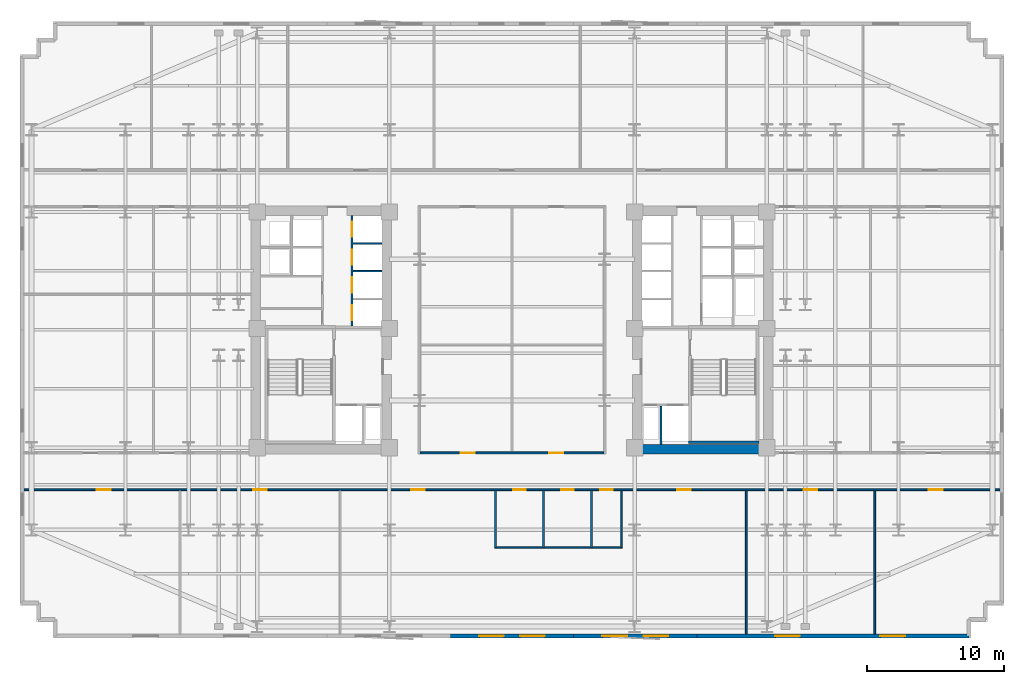
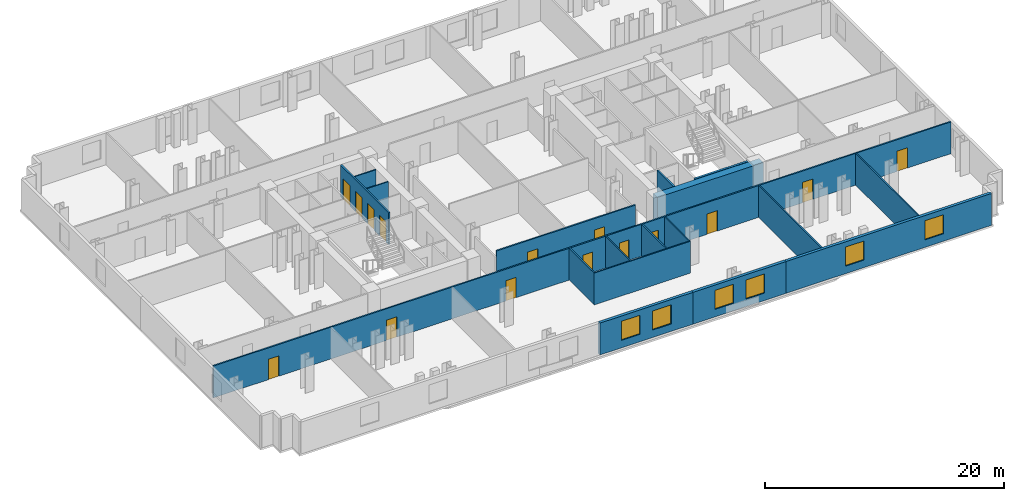
# One storey, part 5 of 10: 18 walls, 15 doors, 6 windows, 21 openings.
"""IFC4 building model written with IfcOpenShell, lengths in metres."""

from ifc_helpers import new_model, si_unit, direction, frame, frame_2d, origin, place, context, subcontext, project, spatial, rectangle, extrude, material, layer, layer_set, type_object, element, fill, save


model = new_model("IFC4")

# Units and contexts
model_context = context("Model", 3, precision=1e-05, world=origin(), true_north=direction((0.0, 1.0)))
body_context = subcontext(model_context, "Body", "Model", "MODEL_VIEW")
ifc_project = project(units=[si_unit("LENGTHUNIT", "METRE"), si_unit("AREAUNIT", "SQUARE_METRE"), si_unit("VOLUMEUNIT", "CUBIC_METRE"), si_unit("PLANEANGLEUNIT", "RADIAN"), si_unit("MASSUNIT", "GRAM", prefix="KILO")], contexts=[model_context])

# Site, building, storey
site_placement = place(None, origin())
site = spatial("IfcSite", under=ifc_project, at=site_placement, CompositionType="ELEMENT")
building_placement = place(site_placement, origin())
building = spatial("IfcBuilding", under=site, at=building_placement, Name="Velakula Bourse", CompositionType="ELEMENT")
storey_placement = place(building_placement, frame((0.0, 0.0, 62.25)))
storey = spatial("IfcBuildingStorey", under=building, at=storey_placement, Name="L16", CompositionType="ELEMENT", Elevation=62.25)

# Walls
ifc_material_1 = material(Name="Concrete M50 (fck 50 MPa)", Category="concrete")
ifc_layer_1 = layer(ifc_material_1, 0.2099609375, Name="Concrete M50 (fck 50 MPa)", Category="concrete")
ifc_layer_set_1 = layer_set([ifc_layer_1], Name="Concrete M50 (fck 50 MPa)")
wall_type_1 = type_object("IfcWallType", Name="WL-CORE-210", PredefinedType="SHEAR", material=ifc_layer_set_1)
wall_1_placement = place(storey_placement, frame((12.889892578125, -8.205078125, 0.0), z_axis=(0.0, 0.0, 1.0), x_axis=(1.0, 0.0, 0.0)))
element("IfcWall", 1, at=wall_1_placement, inside=storey, type_object=wall_type_1, Name="L16 Core E Stairwell Shear Wall S", PredefinedType="SHEAR", context=body_context, shape_type="SweptSolid", body=[
    extrude(rectangle(XDim=5.14013671875, YDim=0.2099609375, at=frame_2d((2.570068359375, 0.0))), origin(), (0.0, 0.0, 1.0), 3.27001953125),
])
ifc_material_2 = material(Name="Concrete M70 (fck 70 MPa)", Category="concrete")
ifc_layer_2 = layer(ifc_material_2, 0.699951171875, Name="Concrete M70 (fck 70 MPa)", Category="concrete")
ifc_layer_set_2 = layer_set([ifc_layer_2], Name="Concrete M70 (fck 70 MPa)")
wall_type_2 = type_object("IfcWallType", Name="WL-CORE-700", PredefinedType="SHEAR", material=ifc_layer_set_2)
wall_2_placement = place(storey_placement, frame((8.800048828125, -8.699951171875, 0.0), z_axis=(0.0, 0.0, 1.0), x_axis=(1.0, 0.0, 0.0)))
element("IfcWall", 2, at=wall_2_placement, inside=storey, type_object=wall_type_2, Name="L16 Core E Shear Wall S", PredefinedType="SHEAR", context=body_context, shape_type="SweptSolid", body=[
    extrude(rectangle(XDim=10.25, YDim=0.699951171875, at=frame_2d((5.125, 0.0))), origin(), (0.0, 0.0, 1.0), 3.27001953125),
])

# Wall, openings, windows
ifc_material_3 = material(Name="Red kilned clay facing brick masonry", Category="masonry")
ifc_layer_3 = layer(ifc_material_3, 0.280029296875, Name="Red kilned clay facing brick masonry", Category="masonry")
ifc_layer_set_3 = layer_set([ifc_layer_3], Name="Red kilned clay facing brick masonry")
wall_type_3 = type_object("IfcWallType", Name="WL-EXT-BRK-280", PredefinedType="STANDARD", material=ifc_layer_set_3)
wall_3_placement = place(storey_placement, frame((4.5, -22.340087890625, 0.0), z_axis=(0.0, 0.0, 1.0), x_axis=(-1.0, 0.0, 0.0)))
wall_3 = element("IfcWall", 3, at=wall_3_placement, inside=storey, type_object=wall_type_3, Name="L16 S Brick Spandrel Wall B3", PredefinedType="STANDARD", context=body_context, shape_type="SweptSolid", body=[
    extrude(rectangle(XDim=9.0, YDim=0.280029296875, at=frame_2d((4.5, 0.0))), origin(), (0.0, 0.0, 1.0), 3.25),
])
opening_1_placement = place(wall_3_placement, frame((2.10009765625, 0.0, 0.760009765625)))
opening_1 = element("IfcOpeningElement", 4, at=opening_1_placement, cuts=wall_3, Name="Opening W-01", PredefinedType="OPENING", context=body_context, shape_type="SweptSolid", body=[
    extrude(rectangle(XDim=1.800048828125, YDim=1.949951171875, at=frame_2d((0.89990234375, 0.97509765625))), frame((0.0, 0.14990234375, 0.0), z_axis=(0.0, -1.0, 0.0), x_axis=(1.0, 0.0, 0.0)), (0.0, 0.0, 1.0), 0.300048828125),
])
opening_2_placement = place(wall_3_placement, frame((5.10009765625, 0.0, 0.760009765625)))
opening_2 = element("IfcOpeningElement", 5, at=opening_2_placement, cuts=wall_3, Name="Opening W-01", PredefinedType="OPENING", context=body_context, shape_type="SweptSolid", body=[
    extrude(rectangle(XDim=1.800048828125, YDim=1.949951171875, at=frame_2d((0.89990234375, 0.97509765625))), frame((0.0, 0.14990234375, 0.0), z_axis=(0.0, -1.0, 0.0), x_axis=(1.0, 0.0, 0.0)), (0.0, 0.0, 1.0), 0.300048828125),
])
ifc_material_4 = material(Name="Double-glazed solar-control Low-E glass", Category="glass")
window_type = type_object("IfcWindowType", Name="WIN-TWR-1800x2100", PartitioningType="SINGLE_PANEL", PredefinedType="WINDOW", material=ifc_material_4)
window_1_placement = place(opening_1_placement, origin())
window_1 = element("IfcWindow", 6, at=window_1_placement, inside=storey, type_object=window_type, Name="L16 Deep-Set Recessed Window 1", OverallHeight=1.949951171875, OverallWidth=1.800048828125, PartitioningType="SINGLE_PANEL", PredefinedType="WINDOW", context=body_context, shape_type="SweptSolid", body=[
    extrude(rectangle(XDim=1.800048828125, YDim=1.949951171875, at=frame_2d((0.89990234375, 0.97509765625))), frame((0.0, 0.030029296875, 0.0), z_axis=(0.0, -1.0, 0.0), x_axis=(1.0, 0.0, 0.0)), (0.0, 0.0, 1.0), 0.06005859375),
])
fill(opening_1, window_1)
window_2_placement = place(opening_2_placement, origin())
window_2 = element("IfcWindow", 7, at=window_2_placement, inside=storey, type_object=window_type, Name="L16 Deep-Set Recessed Window 2", OverallHeight=1.949951171875, OverallWidth=1.800048828125, PartitioningType="SINGLE_PANEL", PredefinedType="WINDOW", context=body_context, shape_type="SweptSolid", body=[
    extrude(rectangle(XDim=1.800048828125, YDim=1.949951171875, at=frame_2d((0.89990234375, 0.97509765625))), frame((0.0, 0.030029296875, 0.0), z_axis=(0.0, -1.0, 0.0), x_axis=(1.0, 0.0, 0.0)), (0.0, 0.0, 1.0), 0.06005859375),
])
fill(opening_2, window_2)

wall_4_placement = place(storey_placement, frame((13.5, -22.340087890625, 0.0), z_axis=(0.0, 0.0, 1.0), x_axis=(-1.0, 0.0, 0.0)))
wall_4 = element("IfcWall", 8, at=wall_4_placement, inside=storey, type_object=wall_type_3, Name="L16 S Brick Spandrel Wall B4", PredefinedType="STANDARD", context=body_context, shape_type="SweptSolid", body=[
    extrude(rectangle(XDim=9.0, YDim=0.280029296875, at=frame_2d((4.5, 0.0))), origin(), (0.0, 0.0, 1.0), 3.25),
])
opening_3_placement = place(wall_4_placement, frame((2.10009765625, 0.0, 0.760009765625)))
opening_3 = element("IfcOpeningElement", 9, at=opening_3_placement, cuts=wall_4, Name="Opening W-01", PredefinedType="OPENING", context=body_context, shape_type="SweptSolid", body=[
    extrude(rectangle(XDim=1.800048828125, YDim=1.949951171875, at=frame_2d((0.89990234375, 0.97509765625))), frame((0.0, 0.14990234375, 0.0), z_axis=(0.0, -1.0, 0.0), x_axis=(1.0, 0.0, 0.0)), (0.0, 0.0, 1.0), 0.300048828125),
])
opening_4_placement = place(wall_4_placement, frame((5.10009765625, 0.0, 0.760009765625)))
opening_4 = element("IfcOpeningElement", 10, at=opening_4_placement, cuts=wall_4, Name="Opening W-01", PredefinedType="OPENING", context=body_context, shape_type="SweptSolid", body=[
    extrude(rectangle(XDim=1.800048828125, YDim=1.949951171875, at=frame_2d((0.89990234375, 0.97509765625))), frame((0.0, 0.14990234375, 0.0), z_axis=(0.0, -1.0, 0.0), x_axis=(1.0, 0.0, 0.0)), (0.0, 0.0, 1.0), 0.300048828125),
])
window_3_placement = place(opening_3_placement, origin())
window_3 = element("IfcWindow", 11, at=window_3_placement, inside=storey, type_object=window_type, Name="L16 Deep-Set Recessed Window 1", OverallHeight=1.949951171875, OverallWidth=1.800048828125, PartitioningType="SINGLE_PANEL", PredefinedType="WINDOW", context=body_context, shape_type="SweptSolid", body=[
    extrude(rectangle(XDim=1.800048828125, YDim=1.949951171875, at=frame_2d((0.89990234375, 0.97509765625))), frame((0.0, 0.030029296875, 0.0), z_axis=(0.0, -1.0, 0.0), x_axis=(1.0, 0.0, 0.0)), (0.0, 0.0, 1.0), 0.06005859375),
])
fill(opening_3, window_3)
window_4_placement = place(opening_4_placement, origin())
window_4 = element("IfcWindow", 12, at=window_4_placement, inside=storey, type_object=window_type, Name="L16 Deep-Set Recessed Window 2", OverallHeight=1.949951171875, OverallWidth=1.800048828125, PartitioningType="SINGLE_PANEL", PredefinedType="WINDOW", context=body_context, shape_type="SweptSolid", body=[
    extrude(rectangle(XDim=1.800048828125, YDim=1.949951171875, at=frame_2d((0.89990234375, 0.97509765625))), frame((0.0, 0.030029296875, 0.0), z_axis=(0.0, -1.0, 0.0), x_axis=(1.0, 0.0, 0.0)), (0.0, 0.0, 1.0), 0.06005859375),
])
fill(opening_4, window_4)

wall_5_placement = place(storey_placement, frame((33.340087890625, -22.340087890625, 0.0), z_axis=(0.0, 0.0, 1.0), x_axis=(-1.0, 0.0, 0.0)))
wall_5 = element("IfcWall", 13, at=wall_5_placement, inside=storey, type_object=wall_type_3, Name="L16 S Brick Spandrel Wall B5", PredefinedType="STANDARD", context=body_context, shape_type="SweptSolid", body=[
    extrude(rectangle(XDim=19.840087890625, YDim=0.280029296875, at=frame_2d((9.919921875, 0.0))), origin(), (0.0, 0.0, 1.0), 3.25),
])
opening_5_placement = place(wall_5_placement, frame((4.663330078125, 0.0, 0.760009765625)))
opening_5 = element("IfcOpeningElement", 14, at=opening_5_placement, cuts=wall_5, Name="Opening W-01", PredefinedType="OPENING", context=body_context, shape_type="SweptSolid", body=[
    extrude(rectangle(XDim=1.800048828125, YDim=1.949951171875, at=frame_2d((0.89990234375, 0.97509765625))), frame((0.0, 0.14990234375, 0.0), z_axis=(0.0, -1.0, 0.0), x_axis=(1.0, 0.0, 0.0)), (0.0, 0.0, 1.0), 0.300048828125),
])
opening_6_placement = place(wall_5_placement, frame((12.32666015625, 0.0, 0.760009765625)))
opening_6 = element("IfcOpeningElement", 15, at=opening_6_placement, cuts=wall_5, Name="Opening W-01", PredefinedType="OPENING", context=body_context, shape_type="SweptSolid", body=[
    extrude(rectangle(XDim=1.800048828125, YDim=1.949951171875, at=frame_2d((0.89990234375, 0.97509765625))), frame((0.0, 0.14990234375, 0.0), z_axis=(0.0, -1.0, 0.0), x_axis=(1.0, 0.0, 0.0)), (0.0, 0.0, 1.0), 0.300048828125),
])
window_5_placement = place(opening_5_placement, origin())
window_5 = element("IfcWindow", 16, at=window_5_placement, inside=storey, type_object=window_type, Name="L16 Deep-Set Recessed Window 1", OverallHeight=1.949951171875, OverallWidth=1.800048828125, PartitioningType="SINGLE_PANEL", PredefinedType="WINDOW", context=body_context, shape_type="SweptSolid", body=[
    extrude(rectangle(XDim=1.800048828125, YDim=1.949951171875, at=frame_2d((0.89990234375, 0.97509765625))), frame((0.0, 0.030029296875, 0.0), z_axis=(0.0, -1.0, 0.0), x_axis=(1.0, 0.0, 0.0)), (0.0, 0.0, 1.0), 0.06005859375),
])
fill(opening_5, window_5)
window_6_placement = place(opening_6_placement, origin())
window_6 = element("IfcWindow", 17, at=window_6_placement, inside=storey, type_object=window_type, Name="L16 Deep-Set Recessed Window 2", OverallHeight=1.949951171875, OverallWidth=1.800048828125, PartitioningType="SINGLE_PANEL", PredefinedType="WINDOW", context=body_context, shape_type="SweptSolid", body=[
    extrude(rectangle(XDim=1.800048828125, YDim=1.949951171875, at=frame_2d((0.89990234375, 0.97509765625))), frame((0.0, 0.030029296875, 0.0), z_axis=(0.0, -1.0, 0.0), x_axis=(1.0, 0.0, 0.0)), (0.0, 0.0, 1.0), 0.06005859375),
])
fill(opening_6, window_6)

# Walls
ifc_material_5 = material(Name="Fire-rated double-layer gypsum drywall partition", Category="gypsum")
ifc_layer_4 = layer(ifc_material_5, 0.1201171875, Name="Fire-rated double-layer gypsum drywall partition", Category="gypsum")
ifc_layer_set_4 = layer_set([ifc_layer_4], Name="Fire-rated double-layer gypsum drywall partition")
wall_type_4 = type_object("IfcWallType", Name="WL-PART-120", PredefinedType="STANDARD", material=ifc_layer_set_4)
for number, where, z_axis, x_axis, name in (
    (18, (-11.60009765625, 4.284912109375, 0.0), (0.0, 0.0, 1.0), (1.0, 0.0, 0.0), "L16 Interior Partition WL-CRW-L16-BDIV-1"),
    (19, (-11.60009765625, 6.31494140625, 0.0), (0.0, 0.0, 1.0), (1.0, 0.0, 0.0), "L16 Interior Partition WL-CRW-L16-BDIV-2"),
):
    element("IfcWall", number, at=place(storey_placement, frame(where, z_axis=z_axis, x_axis=x_axis)), inside=storey, type_object=wall_type_4, Name=name, PredefinedType="STANDARD", context=body_context, shape_type="SweptSolid", body=[
        extrude(rectangle(XDim=2.10009765625, YDim=0.110107421875, at=frame_2d((1.050048828125, 0.0))), origin(), (0.0, 0.0, 1.0), 3.25),
    ])
wall_6_placement = place(storey_placement, frame((-1.260009765625, -15.8701171875, 0.0), z_axis=(0.0, 0.0, 1.0), x_axis=(1.0, 0.0, 0.0)))
element("IfcWall", 20, at=wall_6_placement, inside=storey, type_object=wall_type_4, Name="L16 Interior Partition WL-WC-L16-BACK", PredefinedType="STANDARD", context=body_context, shape_type="SweptSolid", body=[
    extrude(rectangle(XDim=9.320068359375, YDim=0.1201171875, at=frame_2d((4.66015625, 0.0))), origin(), (0.0, 0.0, 1.0), 3.25),
])
for number, where, z_axis, x_axis, name in (
    (21, (-1.199951171875, -15.8701171875, 0.0), (0.0, 0.0, 1.0), (0.0, 1.0, 0.0), "L16 Interior Partition WL-WC-L16-V1"),
    (22, (2.300048828125, -15.8701171875, 0.0), (0.0, 0.0, 1.0), (0.0, 1.0, 0.0), "L16 Interior Partition WL-WC-L16-V2"),
    (23, (5.800048828125, -15.8701171875, 0.0), (0.0, 0.0, 1.0), (0.0, 1.0, 0.0), "L16 Interior Partition WL-WC-L16-V3"),
    (24, (8.0, -15.8701171875, 0.0), (0.0, 0.0, 1.0), (0.0, 1.0, 0.0), "L16 Interior Partition WL-WC-L16-V4"),
):
    element("IfcWall", number, at=place(storey_placement, frame(where, z_axis=z_axis, x_axis=x_axis)), inside=storey, type_object=wall_type_4, Name=name, PredefinedType="STANDARD", context=body_context, shape_type="SweptSolid", body=[
        extrude(rectangle(XDim=4.130126953125, YDim=0.1201171875, at=frame_2d((2.06494140625, 0.0))), origin(), (0.0, 0.0, 1.0), 3.25),
    ])
for number, where, z_axis, x_axis, name in (
    (25, (17.094970703125, -22.219970703125, 0.0), (0.0, 0.0, 1.0), (0.0, 1.0, 0.0), "L16 Interior Partition WL-INT-L16-SR-D7"),
    (26, (26.465087890625, -22.219970703125, 0.0), (0.0, 0.0, 1.0), (0.0, 1.0, 0.0), "L16 Interior Partition WL-INT-L16-SR-D8"),
):
    element("IfcWall", number, at=place(storey_placement, frame(where, z_axis=z_axis, x_axis=x_axis)), inside=storey, type_object=wall_type_4, Name=name, PredefinedType="STANDARD", context=body_context, shape_type="SweptSolid", body=[
        extrude(rectangle(XDim=10.47998046875, YDim=0.1201171875, at=frame_2d((5.239990234375, 0.0))), origin(), (0.0, 0.0, 1.0), 3.25),
    ])

# Wall, openings, doors
ifc_layer_5 = layer(ifc_material_5, 0.139892578125, Name="Fire-rated double-layer gypsum drywall partition", Category="gypsum")
ifc_layer_set_5 = layer_set([ifc_layer_5], Name="Fire-rated double-layer gypsum drywall partition")
wall_type_5 = type_object("IfcWallType", Name="WL-PART-140", PredefinedType="STANDARD", material=ifc_layer_set_5)
wall_7_placement = place(storey_placement, frame((-35.6201171875, -11.669921875, 0.0), z_axis=(0.0, 0.0, 1.0), x_axis=(1.0, 0.0, 0.0)))
wall_7 = element("IfcWall", 27, at=wall_7_placement, inside=storey, type_object=wall_type_5, Name="L16 Interior Partition WL-INT-L16-S-CORR", PredefinedType="STANDARD", context=body_context, shape_type="SweptSolid", body=[
    extrude(rectangle(XDim=71.240234375, YDim=0.139892578125, at=frame_2d((35.6201171875, 0.0))), origin(), (0.0, 0.0, 1.0), 3.25),
])
opening_7_placement = place(wall_7_placement, frame((35.7099609375, 0.0, 0.0)))
opening_7 = element("IfcOpeningElement", 28, at=opening_7_placement, cuts=wall_7, Name="Opening D-WT1", PredefinedType="OPENING", context=body_context, shape_type="SweptSolid", body=[
    extrude(rectangle(XDim=0.919921875, YDim=2.080078125, at=frame_2d((0.4599609375, 1.0400390625))), frame((0.0, 0.079833984375, 0.0), z_axis=(0.0, -1.0, 0.0), x_axis=(1.0, 0.0, 0.0)), (0.0, 0.0, 1.0), 0.159912109375),
])
opening_8_placement = place(wall_7_placement, frame((39.2099609375, 0.0, 0.0)))
opening_8 = element("IfcOpeningElement", 29, at=opening_8_placement, cuts=wall_7, Name="Opening D-WT1", PredefinedType="OPENING", context=body_context, shape_type="SweptSolid", body=[
    extrude(rectangle(XDim=0.919921875, YDim=2.080078125, at=frame_2d((0.4599609375, 1.0400390625))), frame((0.0, 0.079833984375, 0.0), z_axis=(0.0, -1.0, 0.0), x_axis=(1.0, 0.0, 0.0)), (0.0, 0.0, 1.0), 0.159912109375),
])
opening_9_placement = place(wall_7_placement, frame((42.06005859375, 0.0, 0.0)))
opening_9 = element("IfcOpeningElement", 30, at=opening_9_placement, cuts=wall_7, Name="Opening D-WC1", PredefinedType="OPENING", context=body_context, shape_type="SweptSolid", body=[
    extrude(rectangle(XDim=0.919921875, YDim=2.080078125, at=frame_2d((0.4599609375, 1.0400390625))), frame((0.0, 0.079833984375, 0.0), z_axis=(0.0, -1.0, 0.0), x_axis=(1.0, 0.0, 0.0)), (0.0, 0.0, 1.0), 0.159912109375),
])
opening_10_placement = place(wall_7_placement, frame((5.325439453125, 0.0, 0.0)))
opening_10 = element("IfcOpeningElement", 31, at=opening_10_placement, cuts=wall_7, Name="Opening D-OF1", PredefinedType="OPENING", context=body_context, shape_type="SweptSolid", body=[
    extrude(rectangle(XDim=1.0, YDim=2.080078125, at=frame_2d((0.5, 1.0400390625))), frame((0.0, 0.079833984375, 0.0), z_axis=(0.0, -1.0, 0.0), x_axis=(1.0, 0.0, 0.0)), (0.0, 0.0, 1.0), 0.159912109375),
])
opening_11_placement = place(wall_7_placement, frame((16.739990234375, 0.0, 0.0)))
opening_11 = element("IfcOpeningElement", 32, at=opening_11_placement, cuts=wall_7, Name="Opening D-OF1", PredefinedType="OPENING", context=body_context, shape_type="SweptSolid", body=[
    extrude(rectangle(XDim=1.0, YDim=2.080078125, at=frame_2d((0.5, 1.0400390625))), frame((0.0, 0.079833984375, 0.0), z_axis=(0.0, -1.0, 0.0), x_axis=(1.0, 0.0, 0.0)), (0.0, 0.0, 1.0), 0.159912109375),
])
opening_12_placement = place(wall_7_placement, frame((28.25048828125, 0.0, 0.0)))
opening_12 = element("IfcOpeningElement", 33, at=opening_12_placement, cuts=wall_7, Name="Opening D-OF1", PredefinedType="OPENING", context=body_context, shape_type="SweptSolid", body=[
    extrude(rectangle(XDim=1.0, YDim=2.080078125, at=frame_2d((0.5, 1.0400390625))), frame((0.0, 0.079833984375, 0.0), z_axis=(0.0, -1.0, 0.0), x_axis=(1.0, 0.0, 0.0)), (0.0, 0.0, 1.0), 0.159912109375),
])
opening_13_placement = place(wall_7_placement, frame((47.66748046875, 0.0, 0.0)))
opening_13 = element("IfcOpeningElement", 34, at=opening_13_placement, cuts=wall_7, Name="Opening D-OF1", PredefinedType="OPENING", context=body_context, shape_type="SweptSolid", body=[
    extrude(rectangle(XDim=1.0, YDim=2.080078125, at=frame_2d((0.5, 1.0400390625))), frame((0.0, 0.079833984375, 0.0), z_axis=(0.0, -1.0, 0.0), x_axis=(1.0, 0.0, 0.0)), (0.0, 0.0, 1.0), 0.159912109375),
])
opening_14_placement = place(wall_7_placement, frame((56.89990234375, 0.0, 0.0)))
opening_14 = element("IfcOpeningElement", 35, at=opening_14_placement, cuts=wall_7, Name="Opening D-OF1", PredefinedType="OPENING", context=body_context, shape_type="SweptSolid", body=[
    extrude(rectangle(XDim=1.0, YDim=2.080078125, at=frame_2d((0.5, 1.0400390625))), frame((0.0, 0.079833984375, 0.0), z_axis=(0.0, -1.0, 0.0), x_axis=(1.0, 0.0, 0.0)), (0.0, 0.0, 1.0), 0.159912109375),
])
opening_15_placement = place(wall_7_placement, frame((66.03662109375, 0.0, 0.0)))
opening_15 = element("IfcOpeningElement", 36, at=opening_15_placement, cuts=wall_7, Name="Opening D-OF1", PredefinedType="OPENING", context=body_context, shape_type="SweptSolid", body=[
    extrude(rectangle(XDim=1.0, YDim=2.080078125, at=frame_2d((0.5, 1.0400390625))), frame((0.0, 0.079833984375, 0.0), z_axis=(0.0, -1.0, 0.0), x_axis=(1.0, 0.0, 0.0)), (0.0, 0.0, 1.0), 0.159912109375),
])
ifc_material_6 = material(Name="Fire-rated hardwood flush architectural door", Category="wood")
door_type_1 = type_object("IfcDoorType", Name="DR-OFF-1000", OperationType="NOTDEFINED", PredefinedType="DOOR", material=ifc_material_6)
door_1_placement = place(opening_10_placement, origin())
door_1 = element("IfcDoor", 37, at=door_1_placement, inside=storey, type_object=door_type_1, Name="L16 Economic Reference Library Door", OperationType="SINGLE_SWING_LEFT", OverallHeight=2.080078125, OverallWidth=1.0, PredefinedType="DOOR", context=body_context, shape_type="SweptSolid", body=[
    extrude(rectangle(XDim=1.0, YDim=2.080078125, at=frame_2d((0.5, 1.0400390625))), frame((0.0, 0.02490234375, 0.0), z_axis=(0.0, -1.0, 0.0), x_axis=(1.0, 0.0, 0.0)), (0.0, 0.0, 1.0), 0.050048828125),
])
fill(opening_10, door_1)
door_2_placement = place(opening_11_placement, origin())
door_2 = element("IfcDoor", 38, at=door_2_placement, inside=storey, type_object=door_type_1, Name="L16 Chief Risk Officer Chamber Door", OperationType="SINGLE_SWING_RIGHT", OverallHeight=2.080078125, OverallWidth=1.0, PredefinedType="DOOR", context=body_context, shape_type="SweptSolid", body=[
    extrude(rectangle(XDim=1.0, YDim=2.080078125, at=frame_2d((0.5, 1.0400390625))), frame((0.0, 0.02490234375, 0.0), z_axis=(0.0, -1.0, 0.0), x_axis=(1.0, 0.0, 0.0)), (0.0, 0.0, 1.0), 0.050048828125),
])
fill(opening_11, door_2)
door_3_placement = place(opening_12_placement, origin())
door_3 = element("IfcDoor", 39, at=door_3_placement, inside=storey, type_object=door_type_1, Name="L16 Peer Review Boardroom Door", OperationType="SINGLE_SWING_LEFT", OverallHeight=2.080078125, OverallWidth=1.0, PredefinedType="DOOR", context=body_context, shape_type="SweptSolid", body=[
    extrude(rectangle(XDim=1.0, YDim=2.080078125, at=frame_2d((0.5, 1.0400390625))), frame((0.0, 0.02490234375, 0.0), z_axis=(0.0, -1.0, 0.0), x_axis=(1.0, 0.0, 0.0)), (0.0, 0.0, 1.0), 0.050048828125),
])
fill(opening_12, door_3)
door_4_placement = place(opening_13_placement, origin())
door_4 = element("IfcDoor", 40, at=door_4_placement, inside=storey, type_object=door_type_1, Name="L16 Catering Servery Pantry Door", OperationType="SINGLE_SWING_RIGHT", OverallHeight=2.080078125, OverallWidth=1.0, PredefinedType="DOOR", context=body_context, shape_type="SweptSolid", body=[
    extrude(rectangle(XDim=1.0, YDim=2.080078125, at=frame_2d((0.5, 1.0400390625))), frame((0.0, 0.02490234375, 0.0), z_axis=(0.0, -1.0, 0.0), x_axis=(1.0, 0.0, 0.0)), (0.0, 0.0, 1.0), 0.050048828125),
])
fill(opening_13, door_4)
door_5_placement = place(opening_14_placement, origin())
door_5 = element("IfcDoor", 41, at=door_5_placement, inside=storey, type_object=door_type_1, Name="L16 Quantitative Research Workspace Door", OperationType="SINGLE_SWING_LEFT", OverallHeight=2.080078125, OverallWidth=1.0, PredefinedType="DOOR", context=body_context, shape_type="SweptSolid", body=[
    extrude(rectangle(XDim=1.0, YDim=2.080078125, at=frame_2d((0.5, 1.0400390625))), frame((0.0, 0.02490234375, 0.0), z_axis=(0.0, -1.0, 0.0), x_axis=(1.0, 0.0, 0.0)), (0.0, 0.0, 1.0), 0.050048828125),
])
fill(opening_14, door_5)
door_6_placement = place(opening_15_placement, origin())
door_6 = element("IfcDoor", 42, at=door_6_placement, inside=storey, type_object=door_type_1, Name="L16 Chief Risk Officer Chamber Door", OperationType="SINGLE_SWING_RIGHT", OverallHeight=2.080078125, OverallWidth=1.0, PredefinedType="DOOR", context=body_context, shape_type="SweptSolid", body=[
    extrude(rectangle(XDim=1.0, YDim=2.080078125, at=frame_2d((0.5, 1.0400390625))), frame((0.0, 0.02490234375, 0.0), z_axis=(0.0, -1.0, 0.0), x_axis=(1.0, 0.0, 0.0)), (0.0, 0.0, 1.0), 0.050048828125),
])
fill(opening_15, door_6)
door_type_2 = type_object("IfcDoorType", Name="DR-WC-950", OperationType="NOTDEFINED", PredefinedType="DOOR", material=ifc_material_6)
door_7_placement = place(opening_7_placement, origin())
door_7 = element("IfcDoor", 43, at=door_7_placement, inside=storey, type_object=door_type_2, Name="L16 Male Staff Toilet Door", OperationType="SINGLE_SWING_RIGHT", OverallHeight=2.080078125, OverallWidth=0.919921875, PredefinedType="DOOR", context=body_context, shape_type="SweptSolid", body=[
    extrude(rectangle(XDim=0.919921875, YDim=2.080078125, at=frame_2d((0.4599609375, 1.0400390625))), frame((0.0, 0.02490234375, 0.0), z_axis=(0.0, -1.0, 0.0), x_axis=(1.0, 0.0, 0.0)), (0.0, 0.0, 1.0), 0.050048828125),
])
fill(opening_7, door_7)
door_8_placement = place(opening_8_placement, origin())
door_8 = element("IfcDoor", 44, at=door_8_placement, inside=storey, type_object=door_type_2, Name="L16 Female Staff Toilet Door", OperationType="SINGLE_SWING_LEFT", OverallHeight=2.080078125, OverallWidth=0.919921875, PredefinedType="DOOR", context=body_context, shape_type="SweptSolid", body=[
    extrude(rectangle(XDim=0.919921875, YDim=2.080078125, at=frame_2d((0.4599609375, 1.0400390625))), frame((0.0, 0.02490234375, 0.0), z_axis=(0.0, -1.0, 0.0), x_axis=(1.0, 0.0, 0.0)), (0.0, 0.0, 1.0), 0.050048828125),
])
fill(opening_8, door_8)
door_9_placement = place(opening_9_placement, origin())
door_9 = element("IfcDoor", 45, at=door_9_placement, inside=storey, type_object=door_type_2, Name="L16 Accessible WC Door", OperationType="SINGLE_SWING_RIGHT", OverallHeight=2.080078125, OverallWidth=0.919921875, PredefinedType="DOOR", context=body_context, shape_type="SweptSolid", body=[
    extrude(rectangle(XDim=0.919921875, YDim=2.080078125, at=frame_2d((0.4599609375, 1.0400390625))), frame((0.0, 0.02490234375, 0.0), z_axis=(0.0, -1.0, 0.0), x_axis=(1.0, 0.0, 0.0)), (0.0, 0.0, 1.0), 0.050048828125),
])
fill(opening_9, door_9)

wall_8_placement = place(storey_placement, frame((-6.7099609375, -8.97998046875, 0.0), z_axis=(0.0, 0.0, 1.0), x_axis=(1.0, 0.0, 0.0)))
wall_8 = element("IfcWall", 46, at=wall_8_placement, inside=storey, type_object=wall_type_5, Name="L16 Interior Partition WL-INT-L16-MID-S", PredefinedType="STANDARD", context=body_context, shape_type="SweptSolid", body=[
    extrude(rectangle(XDim=13.419921875, YDim=0.139892578125, at=frame_2d((6.7099609375, 0.0))), origin(), (0.0, 0.0, 1.0), 3.25),
])
opening_16_placement = place(wall_8_placement, frame((2.98095703125, 0.0, 0.0)))
opening_16 = element("IfcOpeningElement", 47, at=opening_16_placement, cuts=wall_8, Name="Opening D-OF1", PredefinedType="OPENING", context=body_context, shape_type="SweptSolid", body=[
    extrude(rectangle(XDim=1.0, YDim=2.080078125, at=frame_2d((0.5, 1.0400390625))), frame((0.0, 0.079833984375, 0.0), z_axis=(0.0, -1.0, 0.0), x_axis=(1.0, 0.0, 0.0)), (0.0, 0.0, 1.0), 0.159912109375),
])
opening_17_placement = place(wall_8_placement, frame((9.43896484375, 0.0, 0.0)))
opening_17 = element("IfcOpeningElement", 48, at=opening_17_placement, cuts=wall_8, Name="Opening D-OF1", PredefinedType="OPENING", context=body_context, shape_type="SweptSolid", body=[
    extrude(rectangle(XDim=1.0, YDim=2.080078125, at=frame_2d((0.5, 1.0400390625))), frame((0.0, 0.079833984375, 0.0), z_axis=(0.0, -1.0, 0.0), x_axis=(1.0, 0.0, 0.0)), (0.0, 0.0, 1.0), 0.159912109375),
])
door_10_placement = place(opening_16_placement, origin())
door_10 = element("IfcDoor", 49, at=door_10_placement, inside=storey, type_object=door_type_1, Name="L16 Brokerage Caucus Room SW Door", OperationType="SINGLE_SWING_LEFT", OverallHeight=2.080078125, OverallWidth=1.0, PredefinedType="DOOR", context=body_context, shape_type="SweptSolid", body=[
    extrude(rectangle(XDim=1.0, YDim=2.080078125, at=frame_2d((0.5, 1.0400390625))), frame((0.0, 0.02490234375, 0.0), z_axis=(0.0, -1.0, 0.0), x_axis=(1.0, 0.0, 0.0)), (0.0, 0.0, 1.0), 0.050048828125),
])
fill(opening_16, door_10)
door_11_placement = place(opening_17_placement, origin())
door_11 = element("IfcDoor", 50, at=door_11_placement, inside=storey, type_object=door_type_1, Name="L16 Brokerage Caucus Room SE Door", OperationType="SINGLE_SWING_RIGHT", OverallHeight=2.080078125, OverallWidth=1.0, PredefinedType="DOOR", context=body_context, shape_type="SweptSolid", body=[
    extrude(rectangle(XDim=1.0, YDim=2.080078125, at=frame_2d((0.5, 1.0400390625))), frame((0.0, 0.02490234375, 0.0), z_axis=(0.0, -1.0, 0.0), x_axis=(1.0, 0.0, 0.0)), (0.0, 0.0, 1.0), 0.050048828125),
])
fill(opening_17, door_11)

ifc_material_7 = material(Name="Autoclaved aerated concrete blockwork masonry", Category="masonry")
ifc_layer_6 = layer(ifc_material_7, 0.14990234375, Name="Autoclaved aerated concrete blockwork masonry", Category="masonry")
ifc_layer_set_6 = layer_set([ifc_layer_6], Name="Autoclaved aerated concrete blockwork masonry")
wall_type_6 = type_object("IfcWallType", Name="WL-SHAFT-150", PredefinedType="STANDARD", material=ifc_layer_set_6)
wall_9_placement = place(storey_placement, frame((-11.675048828125, 0.27001953125, 0.0), z_axis=(0.0, 0.0, 1.0), x_axis=(0.0, 1.0, 0.0)))
wall_9 = element("IfcWall", 51, at=wall_9_placement, inside=storey, type_object=wall_type_6, Name="L16 Interior Partition WL-CRW-L16-BANK-F", PredefinedType="STANDARD", context=body_context, shape_type="SweptSolid", body=[
    extrude(rectangle(XDim=8.080078125, YDim=0.14990234375, at=frame_2d((4.0400390625, 0.0))), origin(), (0.0, 0.0, 1.0), 3.25),
])
opening_18_placement = place(wall_9_placement, frame((0.419921875, 0.0, 0.0)))
opening_18 = element("IfcOpeningElement", 52, at=opening_18_placement, cuts=wall_9, Name="Opening LD-P1", PredefinedType="OPENING", context=body_context, shape_type="SweptSolid", body=[
    extrude(rectangle(XDim=1.10009765625, YDim=2.10009765625, at=frame_2d((0.550048828125, 1.050048828125))), frame((0.0, 0.0849609375, 0.0), z_axis=(0.0, -1.0, 0.0), x_axis=(1.0, 0.0, 0.0)), (0.0, 0.0, 1.0), 0.169921875),
])
opening_19_placement = place(wall_9_placement, frame((2.449951171875, 0.0, 0.0)))
opening_19 = element("IfcOpeningElement", 53, at=opening_19_placement, cuts=wall_9, Name="Opening LD-P2", PredefinedType="OPENING", context=body_context, shape_type="SweptSolid", body=[
    extrude(rectangle(XDim=1.10009765625, YDim=2.10009765625, at=frame_2d((0.550048828125, 1.050048828125))), frame((0.0, 0.0849609375, 0.0), z_axis=(0.0, -1.0, 0.0), x_axis=(1.0, 0.0, 0.0)), (0.0, 0.0, 1.0), 0.169921875),
])
opening_20_placement = place(wall_9_placement, frame((4.47998046875, 0.0, 0.0)))
opening_20 = element("IfcOpeningElement", 54, at=opening_20_placement, cuts=wall_9, Name="Opening LD-P3", PredefinedType="OPENING", context=body_context, shape_type="SweptSolid", body=[
    extrude(rectangle(XDim=1.10009765625, YDim=2.10009765625, at=frame_2d((0.550048828125, 1.050048828125))), frame((0.0, 0.0849609375, 0.0), z_axis=(0.0, -1.0, 0.0), x_axis=(1.0, 0.0, 0.0)), (0.0, 0.0, 1.0), 0.169921875),
])
opening_21_placement = place(wall_9_placement, frame((6.510009765625, 0.0, 0.0)))
opening_21 = element("IfcOpeningElement", 55, at=opening_21_placement, cuts=wall_9, Name="Opening LD-P4", PredefinedType="OPENING", context=body_context, shape_type="SweptSolid", body=[
    extrude(rectangle(XDim=1.10009765625, YDim=2.10009765625, at=frame_2d((0.550048828125, 1.050048828125))), frame((0.0, 0.0849609375, 0.0), z_axis=(0.0, -1.0, 0.0), x_axis=(1.0, 0.0, 0.0)), (0.0, 0.0, 1.0), 0.169921875),
])
ifc_material_8 = material(Name="Brushed grade 316 stainless steel", Category="steel")
door_type_3 = type_object("IfcDoorType", Name="DR-SLIDE-LD-1100", OperationType="DOUBLE_DOOR_SLIDING", PredefinedType="DOOR", material=ifc_material_8)
door_12_placement = place(opening_18_placement, origin())
door_12 = element("IfcDoor", 56, at=door_12_placement, inside=storey, type_object=door_type_3, Name="L16 Passenger Lift P1 Sliding Landing Door", OperationType="DOUBLE_DOOR_SLIDING", OverallHeight=2.10009765625, OverallWidth=1.10009765625, PredefinedType="DOOR", context=body_context, shape_type="SweptSolid", body=[
    extrude(rectangle(XDim=1.10009765625, YDim=2.10009765625, at=frame_2d((0.550048828125, 1.050048828125))), frame((0.0, 0.02490234375, 0.0), z_axis=(0.0, -1.0, 0.0), x_axis=(1.0, 0.0, 0.0)), (0.0, 0.0, 1.0), 0.050048828125),
])
fill(opening_18, door_12)
door_13_placement = place(opening_19_placement, origin())
door_13 = element("IfcDoor", 57, at=door_13_placement, inside=storey, type_object=door_type_3, Name="L16 Passenger Lift P2 Sliding Landing Door", OperationType="DOUBLE_DOOR_SLIDING", OverallHeight=2.10009765625, OverallWidth=1.10009765625, PredefinedType="DOOR", context=body_context, shape_type="SweptSolid", body=[
    extrude(rectangle(XDim=1.10009765625, YDim=2.10009765625, at=frame_2d((0.550048828125, 1.050048828125))), frame((0.0, 0.02490234375, 0.0), z_axis=(0.0, -1.0, 0.0), x_axis=(1.0, 0.0, 0.0)), (0.0, 0.0, 1.0), 0.050048828125),
])
fill(opening_19, door_13)
door_14_placement = place(opening_20_placement, origin())
door_14 = element("IfcDoor", 58, at=door_14_placement, inside=storey, type_object=door_type_3, Name="L16 Passenger Lift P3 Sliding Landing Door", OperationType="DOUBLE_DOOR_SLIDING", OverallHeight=2.10009765625, OverallWidth=1.10009765625, PredefinedType="DOOR", context=body_context, shape_type="SweptSolid", body=[
    extrude(rectangle(XDim=1.10009765625, YDim=2.10009765625, at=frame_2d((0.550048828125, 1.050048828125))), frame((0.0, 0.02490234375, 0.0), z_axis=(0.0, -1.0, 0.0), x_axis=(1.0, 0.0, 0.0)), (0.0, 0.0, 1.0), 0.050048828125),
])
fill(opening_20, door_14)
door_15_placement = place(opening_21_placement, origin())
door_15 = element("IfcDoor", 59, at=door_15_placement, inside=storey, type_object=door_type_3, Name="L16 Passenger Lift P4 Sliding Landing Door", OperationType="DOUBLE_DOOR_SLIDING", OverallHeight=2.10009765625, OverallWidth=1.10009765625, PredefinedType="DOOR", context=body_context, shape_type="SweptSolid", body=[
    extrude(rectangle(XDim=1.10009765625, YDim=2.10009765625, at=frame_2d((0.550048828125, 1.050048828125))), frame((0.0, 0.02490234375, 0.0), z_axis=(0.0, -1.0, 0.0), x_axis=(1.0, 0.0, 0.0)), (0.0, 0.0, 1.0), 0.050048828125),
])
fill(opening_21, door_15)

# Wall
wall_10_placement = place(storey_placement, frame((10.875, -8.35009765625, 0.0), z_axis=(0.0, 0.0, 1.0), x_axis=(0.0, 1.0, 0.0)))
element("IfcWall", 60, at=wall_10_placement, inside=storey, type_object=wall_type_6, Name="L16 Interior Partition WL-CRE-L16-FR-DIV", PredefinedType="STANDARD", context=body_context, shape_type="SweptSolid", body=[
    extrude(rectangle(XDim=2.800048828125, YDim=0.14990234375, at=frame_2d((1.39990234375, 0.0))), origin(), (0.0, 0.0, 1.0), 3.25),
])

save(model, "model.ifc")
